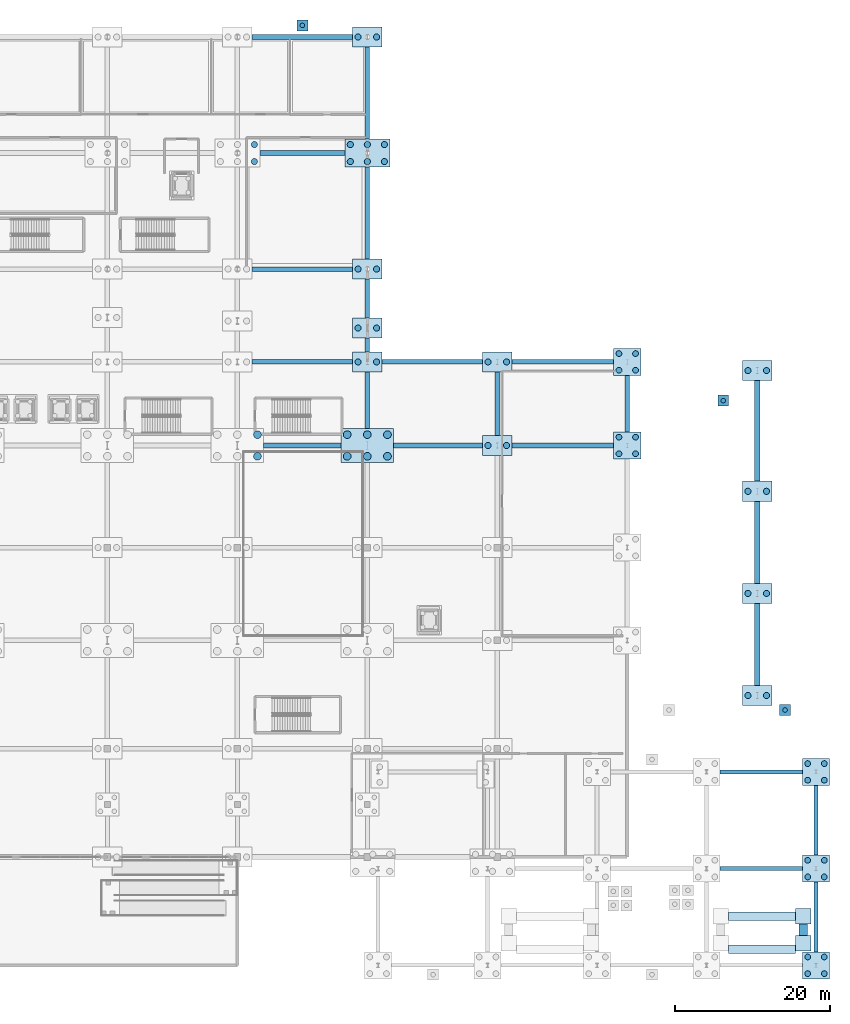
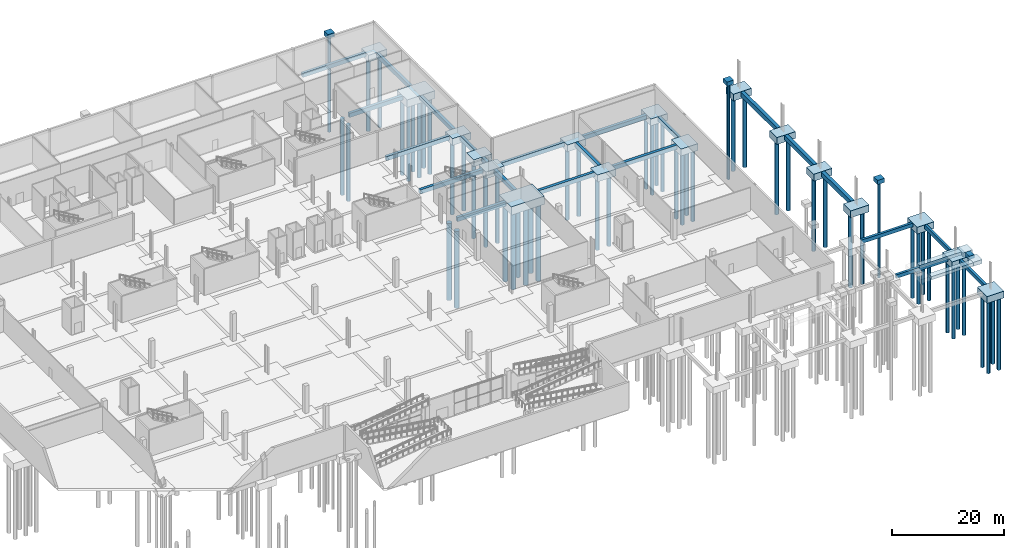
# One storey, part 7 of 46: 59 piles, 48 footings.
"""IFC4 building model written with IfcOpenShell, lengths in metres."""

from ifc_helpers import new_model, si_unit, direction, frame, origin, origin_2d, place, context, subcontext, project, spatial, rectangle, circle, extrude, material, material_profile, profile_set, type_object, element, save


model = new_model("IFC4")

# Units and contexts
model_context = context("Model", 3, precision=1e-05, world=origin(), true_north=direction((0.0, 1.0)))
body_context = subcontext(model_context, "Body", "Model", "MODEL_VIEW")
ifc_project = project(units=[si_unit("LENGTHUNIT", "METRE"), si_unit("AREAUNIT", "SQUARE_METRE"), si_unit("VOLUMEUNIT", "CUBIC_METRE"), si_unit("PLANEANGLEUNIT", "RADIAN"), si_unit("MASSUNIT", "GRAM", prefix="KILO")], contexts=[model_context])

# Site, building, storey
site_placement = place(None, origin())
site = spatial("IfcSite", under=ifc_project, at=site_placement, CompositionType="ELEMENT")
building_placement = place(site_placement, origin())
building = spatial("IfcBuilding", under=site, at=building_placement, Name="Kimbaza Rail Terminus", CompositionType="ELEMENT")
storey_placement = place(building_placement, frame((0.0, 0.0, -6.0)))
storey = spatial("IfcBuildingStorey", under=building, at=storey_placement, Name="B1", CompositionType="ELEMENT", Elevation=-6.0)

# Footings
ifc_material_1 = material(Name="Concrete C40/50", Category="concrete")
ifc_material_profile_1 = material_profile(ifc_material_1, rectangle(XDim=0.60009765625, YDim=0.89990234375, at=origin_2d()), Name="GB-01 600x900")
ifc_profile_set_1 = profile_set([ifc_material_profile_1], Name="Concrete C40/50")
footing_type_1 = type_object("IfcFootingType", Name="STR-GB-01", PredefinedType="FOOTING_BEAM", material=ifc_profile_set_1)
footing_1_placement = place(storey_placement, frame((141.10205078125, 103.0, -0.449951171875), z_axis=(1.0, 0.0, 0.0), x_axis=(0.0, 1.0, 0.0)))
element("IfcFooting", 1, at=footing_1_placement, inside=storey, type_object=footing_type_1, Name="Ground Tie Beam GB-V5X-5-0", PredefinedType="FOOTING_BEAM", context=body_context, shape_type="SweptSolid", body=[
    extrude(rectangle(XDim=0.60009765625, YDim=0.89990234375, at=origin_2d()), origin(), (0.0, 0.0, 1.0), 12.995849609375),
])
footing_2_placement = place(storey_placement, frame((142.10205078125, 118.0, -0.449951171875), z_axis=(1.0, 0.0, 0.0), x_axis=(0.0, 1.0, 0.0)))
element("IfcFooting", 2, at=footing_2_placement, inside=storey, type_object=footing_type_1, Name="Ground Tie Beam GB-V5X-5-1", PredefinedType="FOOTING_BEAM", context=body_context, shape_type="SweptSolid", body=[
    extrude(rectangle(XDim=0.60009765625, YDim=0.89990234375, at=origin_2d()), origin(), (0.0, 0.0, 1.0), 10.995849609375),
])
footing_3_placement = place(storey_placement, frame((141.10205078125, 133.0, -0.449951171875), z_axis=(1.0, 0.0, 0.0), x_axis=(0.0, 1.0, 0.0)))
element("IfcFooting", 3, at=footing_3_placement, inside=storey, type_object=footing_type_1, Name="Ground Tie Beam GB-V5X-5-2", PredefinedType="FOOTING_BEAM", context=body_context, shape_type="SweptSolid", body=[
    extrude(rectangle(XDim=0.60009765625, YDim=0.89990234375, at=origin_2d()), origin(), (0.0, 0.0, 1.0), 12.995849609375),
])
for number, where, z_axis, x_axis, name in (
    (4, (156.0, 104.302001953125, -0.449951171875), (0.0, 1.0, 0.0), (-1.0, 0.0, 0.0), "Ground Tie Beam GB-V5Y-6-0"),
    (5, (156.0, 119.802001953125, -0.449951171875), (0.0, 1.0, 0.0), (-1.0, 0.0, 0.0), "Ground Tie Beam GB-V5Y-6-1"),
):
    element("IfcFooting", number, at=place(storey_placement, frame(where, z_axis=z_axis, x_axis=x_axis)), inside=storey, type_object=footing_type_1, Name=name, PredefinedType="FOOTING_BEAM", context=body_context, shape_type="SweptSolid", body=[
        extrude(rectangle(XDim=0.60009765625, YDim=0.89990234375, at=origin_2d()), origin(), (0.0, 0.0, 1.0), 11.89599609375),
    ])
footing_4_placement = place(storey_placement, frame((142.60205078125, 80.199951171875, -0.449951171875), z_axis=(1.0, 0.0, 0.0), x_axis=(0.0, 1.0, 0.0)))
element("IfcFooting", 6, at=footing_4_placement, inside=storey, type_object=footing_type_1, Name="Ground Tie Beam GB-V2X-6-4", PredefinedType="FOOTING_BEAM", context=body_context, shape_type="SweptSolid", body=[
    extrude(rectangle(XDim=0.60009765625, YDim=0.89990234375, at=origin_2d()), origin(), (0.0, 0.0, 1.0), 9.995849609375),
])
footing_5_placement = place(storey_placement, frame((141.10205078125, 91.0, -0.449951171875), z_axis=(1.0, 0.0, 0.0), x_axis=(0.0, 1.0, 0.0)))
element("IfcFooting", 7, at=footing_5_placement, inside=storey, type_object=footing_type_1, Name="Ground Tie Beam GB-V2X-6-5", PredefinedType="FOOTING_BEAM", context=body_context, shape_type="SweptSolid", body=[
    extrude(rectangle(XDim=0.60009765625, YDim=0.89990234375, at=origin_2d()), origin(), (0.0, 0.0, 1.0), 12.995849609375),
])
footing_6_placement = place(storey_placement, frame((159.402099609375, 80.199951171875, -0.449951171875), z_axis=(1.0, 0.0, 0.0), x_axis=(0.0, 1.0, 0.0)))
element("IfcFooting", 8, at=footing_6_placement, inside=storey, type_object=footing_type_1, Name="Ground Tie Beam GB-V2X-7-4", PredefinedType="FOOTING_BEAM", context=body_context, shape_type="SweptSolid", body=[
    extrude(rectangle(XDim=0.60009765625, YDim=0.89990234375, at=origin_2d()), origin(), (0.0, 0.0, 1.0), 11.495849609375),
])
footing_7_placement = place(storey_placement, frame((156.0, 82.402099609375, -0.449951171875), z_axis=(0.0, 1.0, 0.0), x_axis=(-1.0, 0.0, 0.0)))
element("IfcFooting", 9, at=footing_7_placement, inside=storey, type_object=footing_type_1, Name="Ground Tie Beam GB-V2Y-7-4", PredefinedType="FOOTING_BEAM", context=body_context, shape_type="SweptSolid", body=[
    extrude(rectangle(XDim=0.60009765625, YDim=0.89990234375, at=origin_2d()), origin(), (0.0, 0.0, 1.0), 7.2958984375),
])
footing_8_placement = place(storey_placement, frame((157.902099609375, 91.0, -0.449951171875), z_axis=(1.0, 0.0, 0.0), x_axis=(0.0, 1.0, 0.0)))
element("IfcFooting", 10, at=footing_8_placement, inside=storey, type_object=footing_type_1, Name="Ground Tie Beam GB-V2X-7-5", PredefinedType="FOOTING_BEAM", context=body_context, shape_type="SweptSolid", body=[
    extrude(rectangle(XDim=0.60009765625, YDim=0.89990234375, at=origin_2d()), origin(), (0.0, 0.0, 1.0), 12.995849609375),
])
footing_9_placement = place(storey_placement, frame((174.701904296875, 80.199951171875, -0.449951171875), z_axis=(1.0, 0.0, 0.0), x_axis=(0.0, 1.0, 0.0)))
element("IfcFooting", 11, at=footing_9_placement, inside=storey, type_object=footing_type_1, Name="Ground Tie Beam GB-V2X-8-4", PredefinedType="FOOTING_BEAM", context=body_context, shape_type="SweptSolid", body=[
    extrude(rectangle(XDim=0.60009765625, YDim=0.89990234375, at=origin_2d()), origin(), (0.0, 0.0, 1.0), 13.14599609375),
])
footing_10_placement = place(storey_placement, frame((172.800048828125, 81.501953125, -0.449951171875), z_axis=(0.0, 1.0, 0.0), x_axis=(-1.0, 0.0, 0.0)))
element("IfcFooting", 12, at=footing_10_placement, inside=storey, type_object=footing_type_1, Name="Ground Tie Beam GB-V2Y-8-4", PredefinedType="FOOTING_BEAM", context=body_context, shape_type="SweptSolid", body=[
    extrude(rectangle(XDim=0.60009765625, YDim=0.89990234375, at=origin_2d()), origin(), (0.0, 0.0, 1.0), 8.196044921875),
])
footing_11_placement = place(storey_placement, frame((174.701904296875, 91.0, -0.449951171875), z_axis=(1.0, 0.0, 0.0), x_axis=(0.0, 1.0, 0.0)))
element("IfcFooting", 13, at=footing_11_placement, inside=storey, type_object=footing_type_1, Name="Ground Tie Beam GB-V2X-8-5", PredefinedType="FOOTING_BEAM", context=body_context, shape_type="SweptSolid", body=[
    extrude(rectangle(XDim=0.60009765625, YDim=0.89990234375, at=origin_2d()), origin(), (0.0, 0.0, 1.0), 13.14599609375),
])
footing_12_placement = place(storey_placement, frame((189.60009765625, 81.951904296875, -0.449951171875), z_axis=(0.0, 1.0, 0.0), x_axis=(-1.0, 0.0, 0.0)))
element("IfcFooting", 14, at=footing_12_placement, inside=storey, type_object=footing_type_1, Name="Ground Tie Beam GB-V2Y-9-4", PredefinedType="FOOTING_BEAM", context=body_context, shape_type="SweptSolid", body=[
    extrude(rectangle(XDim=0.60009765625, YDim=0.89990234375, at=origin_2d()), origin(), (0.0, 0.0, 1.0), 7.296142578125),
])
footing_13_placement = place(storey_placement, frame((156.0, 92.302001953125, -0.449951171875), z_axis=(0.0, 1.0, 0.0), x_axis=(-1.0, 0.0, 0.0)))
element("IfcFooting", 15, at=footing_13_placement, inside=storey, type_object=footing_type_1, Name="Ground Tie Beam GB-VSPN-8", PredefinedType="FOOTING_BEAM", context=body_context, shape_type="SweptSolid", body=[
    extrude(rectangle(XDim=0.60009765625, YDim=0.89990234375, at=origin_2d()), origin(), (0.0, 0.0, 1.0), 1.771728515625),
])
footing_14_placement = place(storey_placement, frame((156.0, 96.677734375, -0.449951171875), z_axis=(0.0, 1.0, 0.0), x_axis=(-1.0, 0.0, 0.0)))
element("IfcFooting", 16, at=footing_14_placement, inside=storey, type_object=footing_type_1, Name="Ground Tie Beam GB-VSPN2-8", PredefinedType="FOOTING_BEAM", context=body_context, shape_type="SweptSolid", body=[
    extrude(rectangle(XDim=0.60009765625, YDim=0.89990234375, at=origin_2d()), origin(), (0.0, 0.0, 1.0), 5.020263671875),
])
ifc_material_2 = material(Name="Concrete C40/50", Category="concrete")
ifc_material_profile_2 = material_profile(ifc_material_2, rectangle(XDim=0.5, YDim=0.800048828125, at=origin_2d()), Name="GB-02 500x800")
ifc_profile_set_2 = profile_set([ifc_material_profile_2], Name="Concrete C40/50")
footing_type_2 = type_object("IfcFootingType", Name="STR-GB-02", PredefinedType="FOOTING_BEAM", material=ifc_profile_set_2)
for number, where, z_axis, x_axis, name in (
    (17, (201.60205078125, 25.5, -0.39990234375), (1.0, 0.0, 0.0), (0.0, 1.0, 0.0), "Ground Tie Beam GB-V4X-3-1"),
    (18, (201.60205078125, 38.0, -0.39990234375), (1.0, 0.0, 0.0), (0.0, 1.0, 0.0), "Ground Tie Beam GB-V4X-3-2"),
):
    element("IfcFooting", number, at=place(storey_placement, frame(where, z_axis=z_axis, x_axis=x_axis)), inside=storey, type_object=footing_type_2, Name=name, PredefinedType="FOOTING_BEAM", context=body_context, shape_type="SweptSolid", body=[
        extrude(rectangle(XDim=0.5, YDim=0.800048828125, at=origin_2d()), origin(), (0.0, 0.0, 1.0), 10.64599609375),
    ])
for number, where, z_axis, x_axis, name in (
    (19, (214.0, 14.751953125, -0.39990234375), (0.0, 1.0, 0.0), (-1.0, 0.0, 0.0), "Ground Tie Beam GB-V4Y-4-0"),
    (20, (214.0, 27.251953125, -0.39990234375), (0.0, 1.0, 0.0), (-1.0, 0.0, 0.0), "Ground Tie Beam GB-V4Y-4-1"),
):
    element("IfcFooting", number, at=place(storey_placement, frame(where, z_axis=z_axis, x_axis=x_axis)), inside=storey, type_object=footing_type_2, Name=name, PredefinedType="FOOTING_BEAM", context=body_context, shape_type="SweptSolid", body=[
        extrude(rectangle(XDim=0.5, YDim=0.800048828125, at=origin_2d()), origin(), (0.0, 0.0, 1.0), 8.99609375),
    ])
ifc_material_3 = material(Name="Concrete C40/50", Category="concrete")
ifc_material_profile_3 = material_profile(ifc_material_3, rectangle(XDim=0.699951171875, YDim=1.0, at=origin_2d()), Name="GB-03 700x1000")
ifc_profile_set_3 = profile_set([ifc_material_profile_3], Name="Concrete C40/50")
footing_type_3 = type_object("IfcFootingType", Name="STR-GB-03", PredefinedType="FOOTING_BEAM", material=ifc_profile_set_3)
footing_15_placement = place(storey_placement, frame((206.39990234375, 49.177978515625, -0.5), z_axis=(0.0, 1.0, 0.0), x_axis=(-1.0, 0.0, 0.0)))
element("IfcFooting", 21, at=footing_15_placement, inside=storey, type_object=footing_type_3, Name="Ground Tie Beam GB-VDY-11-0", PredefinedType="FOOTING_BEAM", context=body_context, shape_type="SweptSolid", body=[
    extrude(rectangle(XDim=0.699951171875, YDim=1.0, at=origin_2d()), origin(), (0.0, 0.0, 1.0), 10.595947265625),
])
footing_16_placement = place(storey_placement, frame((206.39990234375, 62.3779296875, -0.5), z_axis=(0.0, 1.0, 0.0), x_axis=(-1.0, 0.0, 0.0)))
element("IfcFooting", 22, at=footing_16_placement, inside=storey, type_object=footing_type_3, Name="Ground Tie Beam GB-VDY-11-1", PredefinedType="FOOTING_BEAM", context=body_context, shape_type="SweptSolid", body=[
    extrude(rectangle(XDim=0.699951171875, YDim=1.0, at=origin_2d()), origin(), (0.0, 0.0, 1.0), 10.59619140625),
])
footing_17_placement = place(storey_placement, frame((206.39990234375, 75.577880859375, -0.5), z_axis=(0.0, 1.0, 0.0), x_axis=(-1.0, 0.0, 0.0)))
element("IfcFooting", 23, at=footing_17_placement, inside=storey, type_object=footing_type_3, Name="Ground Tie Beam GB-VDY-11-2", PredefinedType="FOOTING_BEAM", context=body_context, shape_type="SweptSolid", body=[
    extrude(rectangle(XDim=0.699951171875, YDim=1.0, at=origin_2d()), origin(), (0.0, 0.0, 1.0), 12.99609375),
])
ifc_material_4 = material(Name="Concrete C40/50", Category="concrete")
footing_type_4 = type_object("IfcFootingType", Name="STR-PC-03", PredefinedType="PILE_CAP", material=ifc_material_4)
for number, where, z_axis, x_axis, name in (
    (24, (189.60009765625, 80.199951171875, -1.5), (0.0, 0.0, 1.0), (1.0, 0.0, 0.0), "Pile Cap PC-03 at (189.6,80.2)"),
    (25, (189.60009765625, 91.0, -1.5), (0.0, 0.0, 1.0), (1.0, 0.0, 0.0), "Pile Cap PC-03 at (189.6,91.0)"),
    (26, (214.0, 13.0, -1.5), (0.0, 0.0, 1.0), (1.0, 0.0, 0.0), "Pile Cap PC-03 at (214.0,13.0)"),
    (27, (214.0, 25.5, -1.5), (0.0, 0.0, 1.0), (1.0, 0.0, 0.0), "Pile Cap PC-03 at (214.0,25.5)"),
    (28, (214.0, 38.0, -1.5), (0.0, 0.0, 1.0), (1.0, 0.0, 0.0), "Pile Cap PC-03 at (214.0,38.0)"),
):
    element("IfcFooting", number, at=place(storey_placement, frame(where, z_axis=z_axis, x_axis=x_axis)), inside=storey, type_object=footing_type_4, Name=name, PredefinedType="PILE_CAP", context=body_context, shape_type="SweptSolid", body=[
        extrude(rectangle(XDim=3.5, YDim=3.5, at=origin_2d()), origin(), (0.0, 0.0, 1.0), 1.5),
    ])
ifc_material_5 = material(Name="Concrete C40/50", Category="concrete")
footing_type_5 = type_object("IfcFootingType", Name="STR-PC-04", PredefinedType="PILE_CAP", material=ifc_material_5)
for number, where, z_axis, x_axis, name in (
    (29, (156.0, 103.0, -1.5), (0.0, 0.0, 1.0), (1.0, 0.0, 0.0), "Pile Cap PC-04 at (156.0,103.0)"),
    (30, (156.0, 133.0, -1.5), (0.0, 0.0, 1.0), (1.0, 0.0, 0.0), "Pile Cap PC-04 at (156.0,133.0)"),
    (31, (156.0, 91.0, -1.5), (0.0, 0.0, 1.0), (1.0, 0.0, 0.0), "Pile Cap PC-04 at (156.0,91.0)"),
    (32, (172.800048828125, 80.199951171875, -1.5), (0.0, 0.0, 1.0), (1.0, 0.0, 0.0), "Pile Cap PC-04 at (172.8,80.2)"),
    (33, (172.800048828125, 91.0, -1.5), (0.0, 0.0, 1.0), (1.0, 0.0, 0.0), "Pile Cap PC-04 at (172.8,91.0)"),
    (34, (206.39990234375, 47.8759765625, -1.5), (0.0, 0.0, 1.0), (1.0, 0.0, 0.0), "Pile Cap PC-04 at (206.4,47.9)"),
    (35, (206.39990234375, 61.075927734375, -1.5), (0.0, 0.0, 1.0), (1.0, 0.0, 0.0), "Pile Cap PC-04 at (206.4,61.1)"),
    (36, (206.39990234375, 74.27587890625, -1.5), (0.0, 0.0, 1.0), (1.0, 0.0, 0.0), "Pile Cap PC-04 at (206.4,74.3)"),
    (37, (206.39990234375, 89.8759765625, -1.5), (0.0, 0.0, 1.0), (1.0, 0.0, 0.0), "Pile Cap PC-04 at (206.4,89.9)"),
    (38, (156.0, 95.375732421875, -1.5), (0.0, 0.0, 1.0), (1.0, 0.0, 0.0), "Pile Cap PC-04 at (156.0,95.4)"),
):
    element("IfcFooting", number, at=place(storey_placement, frame(where, z_axis=z_axis, x_axis=x_axis)), inside=storey, type_object=footing_type_5, Name=name, PredefinedType="PILE_CAP", context=body_context, shape_type="SweptSolid", body=[
        extrude(rectangle(XDim=3.800048828125, YDim=2.60009765625, at=origin_2d()), origin(), (0.0, 0.0, 1.0), 1.5),
    ])
ifc_material_6 = material(Name="Concrete C40/50", Category="concrete")
footing_type_6 = type_object("IfcFootingType", Name="STR-PC-05", PredefinedType="PILE_CAP", material=ifc_material_6)
footing_18_placement = place(storey_placement, frame((156.0, 118.0, -1.64990234375), z_axis=(0.0, 0.0, 1.0), x_axis=(1.0, 0.0, 0.0)))
element("IfcFooting", 39, at=footing_18_placement, inside=storey, type_object=footing_type_6, Name="Pile Cap PC-05 at (156.0,118.0)", PredefinedType="PILE_CAP", context=body_context, shape_type="SweptSolid", body=[
    extrude(rectangle(XDim=5.800048828125, YDim=3.60009765625, at=origin_2d()), origin(), (0.0, 0.0, 1.0), 1.64990234375),
])
ifc_material_7 = material(Name="Concrete C40/50", Category="concrete")
footing_type_7 = type_object("IfcFootingType", Name="STR-PC-06", PredefinedType="PILE_CAP", material=ifc_material_7)
footing_19_placement = place(storey_placement, frame((156.0, 80.199951171875, -1.7998046875), z_axis=(0.0, 0.0, 1.0), x_axis=(1.0, 0.0, 0.0)))
element("IfcFooting", 40, at=footing_19_placement, inside=storey, type_object=footing_type_7, Name="Pile Cap PC-06 at (156.0,80.2)", PredefinedType="PILE_CAP", context=body_context, shape_type="SweptSolid", body=[
    extrude(rectangle(XDim=6.800048828125, YDim=4.39990234375, at=origin_2d()), origin(), (0.0, 0.0, 1.0), 1.800048828125),
])
ifc_material_8 = material(Name="Concrete C40/50", Category="concrete")
footing_type_8 = type_object("IfcFootingType", Name="STR-PC-09", PredefinedType="PILE_CAP", material=ifc_material_8)
for number, where, z_axis, x_axis, name in (
    (41, (210.0, 46.0, 4.85009765625), (0.0, 0.0, 1.0), (1.0, 0.0, 0.0), "Pile Cap PC-09 at (210.0,46.0)"),
    (42, (202.0, 86.0, 4.85009765625), (0.0, 0.0, 1.0), (1.0, 0.0, 0.0), "Pile Cap PC-09 at (202.0,86.0)"),
    (43, (147.60009765625, 134.5, 4.85009765625), (0.0, 0.0, 1.0), (1.0, 0.0, 0.0), "Pile Cap PC-09 at (147.6,134.5)"),
):
    element("IfcFooting", number, at=place(storey_placement, frame(where, z_axis=z_axis, x_axis=x_axis)), inside=storey, type_object=footing_type_8, Name=name, PredefinedType="PILE_CAP", context=body_context, shape_type="SweptSolid", body=[
        extrude(rectangle(XDim=1.39990234375, YDim=1.39990234375, at=origin_2d()), origin(), (0.0, 0.0, 1.0), 0.89990234375),
    ])
ifc_material_9 = material(Name="Concrete C40/50", Category="concrete")
footing_type_9 = type_object("IfcFootingType", Name="STR-PF-01", PredefinedType="PAD_FOOTING", material=ifc_material_9)
for number, where, z_axis, x_axis, name in (
    (44, (212.340087890625, 15.860107421875, 4.699951171875), (0.0, 0.0, 1.0), (1.0, 0.0, 0.0), "Retail Pavilion East Stair Corner Pad Footing 2"),
    (45, (212.340087890625, 19.340087890625, 4.699951171875), (0.0, 0.0, 1.0), (1.0, 0.0, 0.0), "Retail Pavilion East Stair Corner Pad Footing 3"),
):
    element("IfcFooting", number, at=place(storey_placement, frame(where, z_axis=z_axis, x_axis=x_axis)), inside=storey, type_object=footing_type_9, Name=name, PredefinedType="PAD_FOOTING", context=body_context, shape_type="SweptSolid", body=[
        extrude(rectangle(XDim=2.0, YDim=2.0, at=origin_2d()), origin(), (0.0, 0.0, 1.0), 0.85009765625),
    ])

# Piles
ifc_material_10 = material(Name="Concrete C35/45", Category="concrete")
ifc_material_profile_4 = material_profile(ifc_material_10, circle(Radius=0.5, at=origin_2d()), Name="BORED PILE 1000")
ifc_profile_set_4 = profile_set([ifc_material_profile_4], Name="Concrete C35/45")
pile_type_1 = type_object("IfcPileType", Name="STR-PILE-1000", PredefinedType="BORED", material=ifc_profile_set_4)
for number, where, z_axis, x_axis, name in (
    (46, (141.800048828125, 78.800048828125, -1.699951171875), (0.0, 0.0, -1.0), (1.0, 0.0, 0.0), "Bored Pile 1000 #3"),
    (47, (141.800048828125, 81.60009765625, -1.699951171875), (0.0, 0.0, -1.0), (1.0, 0.0, 0.0), "Bored Pile 1000 #6"),
    (48, (153.39990234375, 78.800048828125, -1.699951171875), (0.0, 0.0, -1.0), (1.0, 0.0, 0.0), "Bored Pile 1000 #1"),
    (49, (156.0, 78.800048828125, -1.699951171875), (0.0, 0.0, -1.0), (1.0, 0.0, 0.0), "Bored Pile 1000 #2"),
    (50, (158.60009765625, 78.800048828125, -1.699951171875), (0.0, 0.0, -1.0), (1.0, 0.0, 0.0), "Bored Pile 1000 #3"),
    (51, (153.39990234375, 81.60009765625, -1.699951171875), (0.0, 0.0, -1.0), (1.0, 0.0, 0.0), "Bored Pile 1000 #4"),
    (52, (156.0, 81.60009765625, -1.699951171875), (0.0, 0.0, -1.0), (1.0, 0.0, 0.0), "Bored Pile 1000 #5"),
    (53, (158.60009765625, 81.60009765625, -1.699951171875), (0.0, 0.0, -1.0), (1.0, 0.0, 0.0), "Bored Pile 1000 #6"),
):
    element("IfcPile", number, at=place(storey_placement, frame(where, z_axis=z_axis, x_axis=x_axis)), inside=storey, type_object=pile_type_1, Name=name, PredefinedType="BORED", context=body_context, shape_type="SweptSolid", body=[
        extrude(circle(Radius=0.5, at=origin_2d()), origin(), (0.0, 0.0, 1.0), 16.800048828125),
    ])
ifc_material_11 = material(Name="Concrete C35/45", Category="concrete")
ifc_material_profile_5 = material_profile(ifc_material_11, circle(Radius=0.300048828125, at=origin_2d()), Name="BORED PILE 600")
ifc_profile_set_5 = profile_set([ifc_material_profile_5], Name="Concrete C35/45")
pile_type_2 = type_object("IfcPileType", Name="STR-PILE-600", PredefinedType="BORED", material=ifc_profile_set_5)
for number, where, z_axis, x_axis, name in (
    (54, (210.0, 46.0, 4.949951171875), (0.0, 0.0, -1.0), (1.0, 0.0, 0.0), "Bored Pile 600 #1"),
    (55, (202.0, 86.0, 4.949951171875), (0.0, 0.0, -1.0), (1.0, 0.0, 0.0), "Bored Pile 600 #1"),
    (56, (147.60009765625, 134.5, 4.949951171875), (0.0, 0.0, -1.0), (1.0, 0.0, 0.0), "Bored Pile 600 #1"),
):
    element("IfcPile", number, at=place(storey_placement, frame(where, z_axis=z_axis, x_axis=x_axis)), inside=storey, type_object=pile_type_2, Name=name, PredefinedType="BORED", context=body_context, shape_type="SweptSolid", body=[
        extrude(circle(Radius=0.300048828125, at=origin_2d()), origin(), (0.0, 0.0, 1.0), 20.949951171875),
    ])
ifc_material_12 = material(Name="Concrete C35/45", Category="concrete")
ifc_material_profile_6 = material_profile(ifc_material_12, circle(Radius=0.375, at=origin_2d()), Name="BORED PILE 750")
ifc_profile_set_6 = profile_set([ifc_material_profile_6], Name="Concrete C35/45")
pile_type_3 = type_object("IfcPileType", Name="STR-PILE-750", PredefinedType="BORED", material=ifc_profile_set_6)
for number, where, z_axis, x_axis, name in (
    (57, (188.52490234375, 79.125, -1.39990234375), (0.0, 0.0, -1.0), (1.0, 0.0, 0.0), "Bored Pile 750 #1"),
    (58, (190.675048828125, 79.125, -1.39990234375), (0.0, 0.0, -1.0), (1.0, 0.0, 0.0), "Bored Pile 750 #2"),
    (59, (188.52490234375, 81.27490234375, -1.39990234375), (0.0, 0.0, -1.0), (1.0, 0.0, 0.0), "Bored Pile 750 #3"),
    (60, (190.675048828125, 81.27490234375, -1.39990234375), (0.0, 0.0, -1.0), (1.0, 0.0, 0.0), "Bored Pile 750 #4"),
    (61, (188.52490234375, 89.925048828125, -1.39990234375), (0.0, 0.0, -1.0), (1.0, 0.0, 0.0), "Bored Pile 750 #1"),
    (62, (190.675048828125, 89.925048828125, -1.39990234375), (0.0, 0.0, -1.0), (1.0, 0.0, 0.0), "Bored Pile 750 #2"),
    (63, (188.52490234375, 92.074951171875, -1.39990234375), (0.0, 0.0, -1.0), (1.0, 0.0, 0.0), "Bored Pile 750 #3"),
    (64, (190.675048828125, 92.074951171875, -1.39990234375), (0.0, 0.0, -1.0), (1.0, 0.0, 0.0), "Bored Pile 750 #4"),
):
    element("IfcPile", number, at=place(storey_placement, frame(where, z_axis=z_axis, x_axis=x_axis)), inside=storey, type_object=pile_type_3, Name=name, PredefinedType="BORED", context=body_context, shape_type="SweptSolid", body=[
        extrude(circle(Radius=0.375, at=origin_2d()), origin(), (0.0, 0.0, 1.0), 15.60009765625),
    ])
for number, where, z_axis, x_axis, name in (
    (65, (212.925048828125, 11.925048828125, -1.39990234375), (0.0, 0.0, -1.0), (1.0, 0.0, 0.0), "Bored Pile 750 #1"),
    (66, (215.074951171875, 11.925048828125, -1.39990234375), (0.0, 0.0, -1.0), (1.0, 0.0, 0.0), "Bored Pile 750 #2"),
    (67, (212.925048828125, 14.074951171875, -1.39990234375), (0.0, 0.0, -1.0), (1.0, 0.0, 0.0), "Bored Pile 750 #3"),
    (68, (215.074951171875, 14.074951171875, -1.39990234375), (0.0, 0.0, -1.0), (1.0, 0.0, 0.0), "Bored Pile 750 #4"),
    (69, (212.925048828125, 24.425048828125, -1.39990234375), (0.0, 0.0, -1.0), (1.0, 0.0, 0.0), "Bored Pile 750 #1"),
    (70, (215.074951171875, 24.425048828125, -1.39990234375), (0.0, 0.0, -1.0), (1.0, 0.0, 0.0), "Bored Pile 750 #2"),
    (71, (212.925048828125, 26.574951171875, -1.39990234375), (0.0, 0.0, -1.0), (1.0, 0.0, 0.0), "Bored Pile 750 #3"),
    (72, (215.074951171875, 26.574951171875, -1.39990234375), (0.0, 0.0, -1.0), (1.0, 0.0, 0.0), "Bored Pile 750 #4"),
    (73, (212.925048828125, 36.925048828125, -1.39990234375), (0.0, 0.0, -1.0), (1.0, 0.0, 0.0), "Bored Pile 750 #1"),
    (74, (215.074951171875, 36.925048828125, -1.39990234375), (0.0, 0.0, -1.0), (1.0, 0.0, 0.0), "Bored Pile 750 #2"),
    (75, (212.925048828125, 39.074951171875, -1.39990234375), (0.0, 0.0, -1.0), (1.0, 0.0, 0.0), "Bored Pile 750 #3"),
    (76, (215.074951171875, 39.074951171875, -1.39990234375), (0.0, 0.0, -1.0), (1.0, 0.0, 0.0), "Bored Pile 750 #4"),
):
    element("IfcPile", number, at=place(storey_placement, frame(where, z_axis=z_axis, x_axis=x_axis)), inside=storey, type_object=pile_type_3, Name=name, PredefinedType="BORED", context=body_context, shape_type="SweptSolid", body=[
        extrude(circle(Radius=0.375, at=origin_2d()), origin(), (0.0, 0.0, 1.0), 15.800048828125),
    ])
ifc_material_13 = material(Name="Concrete C35/45", Category="concrete")
ifc_material_profile_7 = material_profile(ifc_material_13, circle(Radius=0.39990234375, at=origin_2d()), Name="BORED PILE 800")
ifc_profile_set_7 = profile_set([ifc_material_profile_7], Name="Concrete C35/45")
pile_type_4 = type_object("IfcPileType", Name="STR-PILE-800", PredefinedType="BORED", material=ifc_profile_set_7)
for number, where, z_axis, x_axis, name in (
    (77, (141.39990234375, 116.89990234375, -1.550048828125), (0.0, 0.0, -1.0), (1.0, 0.0, 0.0), "Bored Pile 800 #3"),
    (78, (141.39990234375, 119.10009765625, -1.550048828125), (0.0, 0.0, -1.0), (1.0, 0.0, 0.0), "Bored Pile 800 #6"),
):
    element("IfcPile", number, at=place(storey_placement, frame(where, z_axis=z_axis, x_axis=x_axis)), inside=storey, type_object=pile_type_4, Name=name, PredefinedType="BORED", context=body_context, shape_type="SweptSolid", body=[
        extrude(circle(Radius=0.39990234375, at=origin_2d()), origin(), (0.0, 0.0, 1.0), 16.64990234375),
    ])
for number, where, z_axis, x_axis, name in (
    (79, (154.800048828125, 103.0, -1.39990234375), (0.0, 0.0, -1.0), (1.0, 0.0, 0.0), "Bored Pile 800 #1"),
    (80, (157.199951171875, 103.0, -1.39990234375), (0.0, 0.0, -1.0), (1.0, 0.0, 0.0), "Bored Pile 800 #2"),
):
    element("IfcPile", number, at=place(storey_placement, frame(where, z_axis=z_axis, x_axis=x_axis)), inside=storey, type_object=pile_type_4, Name=name, PredefinedType="BORED", context=body_context, shape_type="SweptSolid", body=[
        extrude(circle(Radius=0.39990234375, at=origin_2d()), origin(), (0.0, 0.0, 1.0), 16.0),
    ])
for number, where, z_axis, x_axis, name in (
    (81, (153.800048828125, 116.89990234375, -1.550048828125), (0.0, 0.0, -1.0), (1.0, 0.0, 0.0), "Bored Pile 800 #1"),
    (82, (156.0, 116.89990234375, -1.550048828125), (0.0, 0.0, -1.0), (1.0, 0.0, 0.0), "Bored Pile 800 #2"),
    (83, (158.199951171875, 116.89990234375, -1.550048828125), (0.0, 0.0, -1.0), (1.0, 0.0, 0.0), "Bored Pile 800 #3"),
    (84, (153.800048828125, 119.10009765625, -1.550048828125), (0.0, 0.0, -1.0), (1.0, 0.0, 0.0), "Bored Pile 800 #4"),
    (85, (156.0, 119.10009765625, -1.550048828125), (0.0, 0.0, -1.0), (1.0, 0.0, 0.0), "Bored Pile 800 #5"),
    (86, (158.199951171875, 119.10009765625, -1.550048828125), (0.0, 0.0, -1.0), (1.0, 0.0, 0.0), "Bored Pile 800 #6"),
):
    element("IfcPile", number, at=place(storey_placement, frame(where, z_axis=z_axis, x_axis=x_axis)), inside=storey, type_object=pile_type_4, Name=name, PredefinedType="BORED", context=body_context, shape_type="SweptSolid", body=[
        extrude(circle(Radius=0.39990234375, at=origin_2d()), origin(), (0.0, 0.0, 1.0), 16.64990234375),
    ])
for number, where, z_axis, x_axis, name in (
    (87, (154.800048828125, 133.0, -1.39990234375), (0.0, 0.0, -1.0), (1.0, 0.0, 0.0), "Bored Pile 800 #1"),
    (88, (157.199951171875, 133.0, -1.39990234375), (0.0, 0.0, -1.0), (1.0, 0.0, 0.0), "Bored Pile 800 #2"),
):
    element("IfcPile", number, at=place(storey_placement, frame(where, z_axis=z_axis, x_axis=x_axis)), inside=storey, type_object=pile_type_4, Name=name, PredefinedType="BORED", context=body_context, shape_type="SweptSolid", body=[
        extrude(circle(Radius=0.39990234375, at=origin_2d()), origin(), (0.0, 0.0, 1.0), 16.0),
    ])
for number, where, z_axis, x_axis, name in (
    (89, (154.800048828125, 91.0, -1.39990234375), (0.0, 0.0, -1.0), (1.0, 0.0, 0.0), "Bored Pile 800 #1"),
    (90, (157.199951171875, 91.0, -1.39990234375), (0.0, 0.0, -1.0), (1.0, 0.0, 0.0), "Bored Pile 800 #2"),
    (91, (171.60009765625, 80.199951171875, -1.39990234375), (0.0, 0.0, -1.0), (1.0, 0.0, 0.0), "Bored Pile 800 #1"),
    (92, (174.0, 80.199951171875, -1.39990234375), (0.0, 0.0, -1.0), (1.0, 0.0, 0.0), "Bored Pile 800 #2"),
    (93, (171.60009765625, 91.0, -1.39990234375), (0.0, 0.0, -1.0), (1.0, 0.0, 0.0), "Bored Pile 800 #1"),
    (94, (174.0, 91.0, -1.39990234375), (0.0, 0.0, -1.0), (1.0, 0.0, 0.0), "Bored Pile 800 #2"),
):
    element("IfcPile", number, at=place(storey_placement, frame(where, z_axis=z_axis, x_axis=x_axis)), inside=storey, type_object=pile_type_4, Name=name, PredefinedType="BORED", context=body_context, shape_type="SweptSolid", body=[
        extrude(circle(Radius=0.39990234375, at=origin_2d()), origin(), (0.0, 0.0, 1.0), 15.800048828125),
    ])
for number, where, z_axis, x_axis, name in (
    (95, (205.199951171875, 47.8759765625, -1.39990234375), (0.0, 0.0, -1.0), (1.0, 0.0, 0.0), "Bored Pile 800 #1"),
    (96, (207.60009765625, 47.8759765625, -1.39990234375), (0.0, 0.0, -1.0), (1.0, 0.0, 0.0), "Bored Pile 800 #2"),
    (97, (205.199951171875, 61.075927734375, -1.39990234375), (0.0, 0.0, -1.0), (1.0, 0.0, 0.0), "Bored Pile 800 #1"),
    (98, (207.60009765625, 61.075927734375, -1.39990234375), (0.0, 0.0, -1.0), (1.0, 0.0, 0.0), "Bored Pile 800 #2"),
    (99, (205.199951171875, 74.27587890625, -1.39990234375), (0.0, 0.0, -1.0), (1.0, 0.0, 0.0), "Bored Pile 800 #1"),
    (100, (207.60009765625, 74.27587890625, -1.39990234375), (0.0, 0.0, -1.0), (1.0, 0.0, 0.0), "Bored Pile 800 #2"),
    (101, (205.199951171875, 89.8759765625, -1.39990234375), (0.0, 0.0, -1.0), (1.0, 0.0, 0.0), "Bored Pile 800 #1"),
    (102, (207.60009765625, 89.8759765625, -1.39990234375), (0.0, 0.0, -1.0), (1.0, 0.0, 0.0), "Bored Pile 800 #2"),
):
    element("IfcPile", number, at=place(storey_placement, frame(where, z_axis=z_axis, x_axis=x_axis)), inside=storey, type_object=pile_type_4, Name=name, PredefinedType="BORED", context=body_context, shape_type="SweptSolid", body=[
        extrude(circle(Radius=0.39990234375, at=origin_2d()), origin(), (0.0, 0.0, 1.0), 16.199951171875),
    ])
for number, where, z_axis, x_axis, name in (
    (103, (154.800048828125, 95.375732421875, -1.39990234375), (0.0, 0.0, -1.0), (1.0, 0.0, 0.0), "Bored Pile 800 #1"),
    (104, (157.199951171875, 95.375732421875, -1.39990234375), (0.0, 0.0, -1.0), (1.0, 0.0, 0.0), "Bored Pile 800 #2"),
):
    element("IfcPile", number, at=place(storey_placement, frame(where, z_axis=z_axis, x_axis=x_axis)), inside=storey, type_object=pile_type_4, Name=name, PredefinedType="BORED", context=body_context, shape_type="SweptSolid", body=[
        extrude(circle(Radius=0.39990234375, at=origin_2d()), origin(), (0.0, 0.0, 1.0), 16.60009765625),
    ])

# Footings
ifc_material_14 = material(Name="Concrete C40/50", Category="concrete")
ifc_material_profile_8 = material_profile(ifc_material_14, rectangle(XDim=1.10009765625, YDim=0.699951171875, at=origin_2d()), Name="SF-02 1100x700")
ifc_profile_set_8 = profile_set([ifc_material_profile_8], Name="Concrete C40/50")
footing_type_10 = type_object("IfcFootingType", Name="STR-SF-02", PredefinedType="STRIP_FOOTING", material=ifc_profile_set_8)
footing_20_placement = place(storey_placement, frame((202.6650390625, 15.06005859375, 5.409912109375), z_axis=(1.0, 0.0, 0.0), x_axis=(0.0, 1.0, 0.0)))
element("IfcFooting", 105, at=footing_20_placement, inside=storey, type_object=footing_type_10, Name="Retail Pavilion East Stair Foundation Strip 1", PredefinedType="STRIP_FOOTING", context=body_context, shape_type="SweptSolid", body=[
    extrude(rectangle(XDim=1.10009765625, YDim=0.699951171875, at=origin_2d()), origin(), (0.0, 0.0, 1.0), 8.669921875),
])
footing_21_placement = place(storey_placement, frame((212.340087890625, 16.864990234375, 5.199951171875), z_axis=(0.0, 1.0, 0.0), x_axis=(-1.0, 0.0, 0.0)))
element("IfcFooting", 106, at=footing_21_placement, inside=storey, type_object=footing_type_10, Name="Retail Pavilion East Stair Foundation Strip 2", PredefinedType="STRIP_FOOTING", context=body_context, shape_type="SweptSolid", body=[
    extrude(rectangle(XDim=1.10009765625, YDim=0.699951171875, at=origin_2d()), origin(), (0.0, 0.0, 1.0), 1.469970703125),
])
footing_22_placement = place(storey_placement, frame((211.3349609375, 19.340087890625, 5.199951171875), z_axis=(-1.0, 0.0, 0.0), x_axis=(0.0, -1.0, 0.0)))
element("IfcFooting", 107, at=footing_22_placement, inside=storey, type_object=footing_type_10, Name="Retail Pavilion East Stair Foundation Strip 3", PredefinedType="STRIP_FOOTING", context=body_context, shape_type="SweptSolid", body=[
    extrude(rectangle(XDim=1.10009765625, YDim=0.699951171875, at=origin_2d()), origin(), (0.0, 0.0, 1.0), 8.669921875),
])

save(model, "model.ifc")
